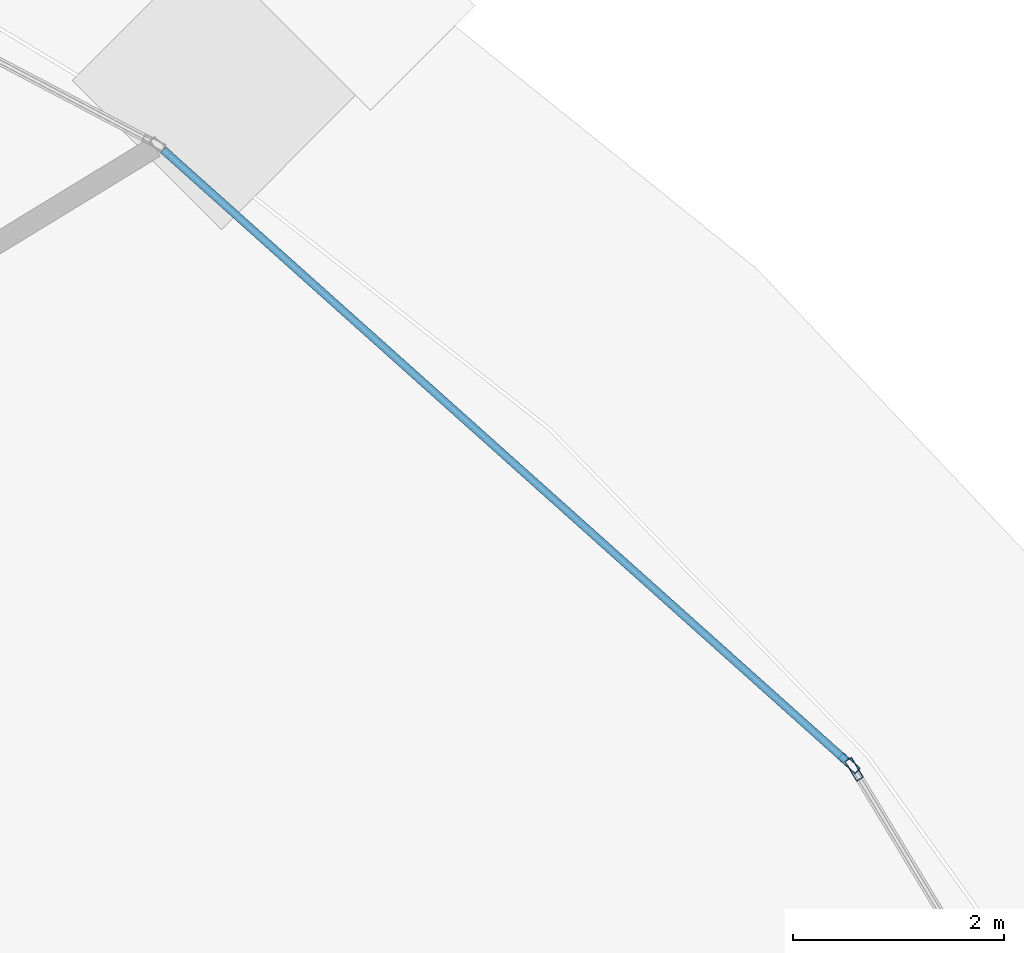
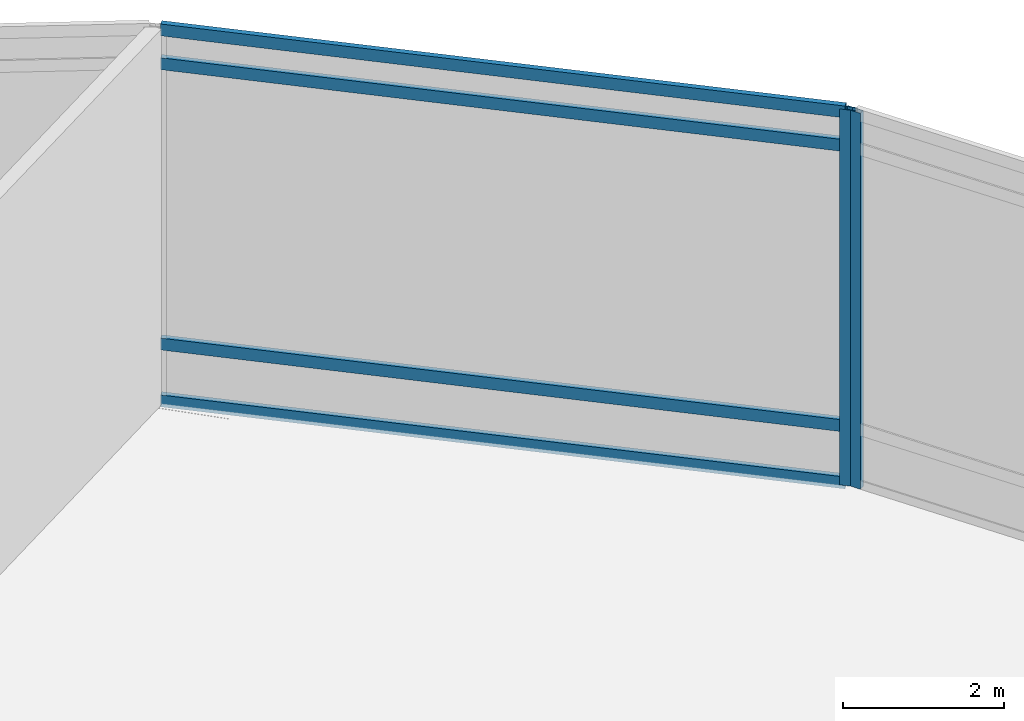
# One storey, part 26 of 40: 6 members, 2 elements without a shape of their own.
"""IFC4 building model written with IfcOpenShell, lengths in metres."""

from ifc_helpers import new_model, si_unit, direction, frame, origin, origin_2d, place, context, subcontext, project, spatial, hollow_rectangle, extrude, material, layer, layer_set, material_profile, profile_set, type_object, element, aggregate, save


model = new_model("IFC4")

# Units and contexts
model_context = context("Model", 3, precision=1e-05, world=origin(), true_north=direction((0.0, 1.0)))
body_context = subcontext(model_context, "Body", "Model", "MODEL_VIEW")
ifc_project = project(units=[si_unit("LENGTHUNIT", "METRE"), si_unit("AREAUNIT", "SQUARE_METRE"), si_unit("VOLUMEUNIT", "CUBIC_METRE"), si_unit("PLANEANGLEUNIT", "RADIAN"), si_unit("MASSUNIT", "GRAM", prefix="KILO")], contexts=[model_context])

# Site, building, storey
site_placement = place(None, origin())
site = spatial("IfcSite", under=ifc_project, at=site_placement, CompositionType="ELEMENT")
building_placement = place(site_placement, origin())
building = spatial("IfcBuilding", under=site, at=building_placement, Name="Nuhasar Tower", CompositionType="ELEMENT")
storey_placement = place(building_placement, origin())
storey = spatial("IfcBuildingStorey", under=building, at=storey_placement, Name="L00", CompositionType="ELEMENT", Elevation=0.0)

# Curtain wall, member
ifc_material = material(Name="Aluminium 6063-T6", Category="aluminium")
ifc_layer = layer(ifc_material, 0.219970703125)
ifc_layer_set = layer_set([ifc_layer], Name="Aluminium 6063-T6")
curtain_wall_type = type_object("IfcCurtainWallType", Name="CW-PODIUM", PredefinedType="NOTDEFINED", material=ifc_layer_set)
curtain_wall_1_placement = place(storey_placement, origin())
curtain_wall_1 = element("IfcCurtainWall", 1, at=curtain_wall_1_placement, inside=storey, type_object=curtain_wall_type, Name="L00 Podium Curtain Wall Bay 02", PredefinedType="NOTDEFINED")
ifc_material_profile_1 = material_profile(ifc_material, hollow_rectangle(XDim=0.074951171875, YDim=0.219970703125, WallThickness=0.0048828125, at=origin_2d()), Name="CWM-1")
ifc_profile_set_1 = profile_set([ifc_material_profile_1], Name="Aluminium 6063-T6")
member_type_1 = type_object("IfcMemberType", Name="CW-MUL-S1", PredefinedType="MULLION", material=ifc_profile_set_1)
member_1_placement = place(storey_placement, frame((74.907470703125, 40.98779296875, 0.0), z_axis=(0.0, 0.0, 1.0), x_axis=(-0.856135297317, -0.516751732158, 0.0)))
member_1 = element("IfcMember", 2, at=member_1_placement, type_object=member_type_1, Name="CW-P1 mullion 2", PredefinedType="MULLION", context=body_context, shape_type="SweptSolid", body=[
    extrude(hollow_rectangle(XDim=0.074951171875, YDim=0.219970703125, WallThickness=0.0048828125, at=origin_2d()), origin(), (0.0, 0.0, 1.0), 5.699951171875),
])
aggregate(curtain_wall_1, [member_1])

# Curtain wall, members
curtain_wall_2_placement = place(storey_placement, origin())
curtain_wall_2 = element("IfcCurtainWall", 3, at=curtain_wall_2_placement, inside=storey, type_object=curtain_wall_type, Name="L00 Podium Curtain Wall Bay 03", PredefinedType="NOTDEFINED")
member_2_placement = place(storey_placement, frame((74.860107421875, 41.044921875, 0.0), z_axis=(0.0, 0.0, 1.0), x_axis=(-0.666679051092, -0.745344915348, 0.0)))
member_2 = element("IfcMember", 4, at=member_2_placement, type_object=member_type_1, Name="CW-P1 mullion 1", PredefinedType="MULLION", context=body_context, shape_type="SweptSolid", body=[
    extrude(hollow_rectangle(XDim=0.074951171875, YDim=0.219970703125, WallThickness=0.0048828125, at=origin_2d()), origin(), (0.0, 0.0, 1.0), 5.699951171875),
])
ifc_material_profile_2 = material_profile(ifc_material, hollow_rectangle(XDim=0.074951171875, YDim=0.179931640625, WallThickness=0.00439453125, at=origin_2d()), Name="CWT-1")
ifc_profile_set_2 = profile_set([ifc_material_profile_2], Name="Aluminium 6063-T6")
member_type_2 = type_object("IfcMemberType", Name="CW-TRN-S1", PredefinedType="USERDEFINED", material=ifc_profile_set_2)
member_3_placement = place(storey_placement, frame((74.83203125, 41.070068359375, 0.03759765625), z_axis=(-0.745339824264, 0.666684742862, 0.0), x_axis=(-0.666684742862, -0.745339824264, 0.0)))
member_3 = element("IfcMember", 5, at=member_3_placement, type_object=member_type_2, Name="CW-P1 transom 1.1", ObjectType="TRANSOM", PredefinedType="USERDEFINED", context=body_context, shape_type="SweptSolid", body=[
    extrude(hollow_rectangle(XDim=0.074951171875, YDim=0.179931640625, WallThickness=0.00439453125, at=origin_2d()), origin(), (0.0, 0.0, 1.0), 8.684814453125),
])
member_4_placement = place(storey_placement, frame((74.83203125, 41.070068359375, 0.89990234375), z_axis=(-0.745339824264, 0.666684742862, 0.0), x_axis=(-0.666684742862, -0.745339824264, 0.0)))
member_4 = element("IfcMember", 6, at=member_4_placement, type_object=member_type_2, Name="CW-P1 transom 1.2", ObjectType="TRANSOM", PredefinedType="USERDEFINED", context=body_context, shape_type="SweptSolid", body=[
    extrude(hollow_rectangle(XDim=0.074951171875, YDim=0.179931640625, WallThickness=0.00439453125, at=origin_2d()), origin(), (0.0, 0.0, 1.0), 8.684814453125),
])
member_5_placement = place(storey_placement, frame((74.83203125, 41.070068359375, 5.14990234375), z_axis=(-0.745339824264, 0.666684742862, 0.0), x_axis=(-0.666684742862, -0.745339824264, 0.0)))
member_5 = element("IfcMember", 7, at=member_5_placement, type_object=member_type_2, Name="CW-P1 transom 1.3", ObjectType="TRANSOM", PredefinedType="USERDEFINED", context=body_context, shape_type="SweptSolid", body=[
    extrude(hollow_rectangle(XDim=0.074951171875, YDim=0.179931640625, WallThickness=0.00439453125, at=origin_2d()), origin(), (0.0, 0.0, 1.0), 8.684814453125),
])
member_6_placement = place(storey_placement, frame((74.83203125, 41.070068359375, 5.66259765625), z_axis=(-0.745339824264, 0.666684742862, 0.0), x_axis=(-0.666684742862, -0.745339824264, 0.0)))
member_6 = element("IfcMember", 8, at=member_6_placement, type_object=member_type_2, Name="CW-P1 transom 1.4", ObjectType="TRANSOM", PredefinedType="USERDEFINED", context=body_context, shape_type="SweptSolid", body=[
    extrude(hollow_rectangle(XDim=0.074951171875, YDim=0.179931640625, WallThickness=0.00439453125, at=origin_2d()), origin(), (0.0, 0.0, 1.0), 8.684814453125),
])
aggregate(curtain_wall_2, [member_2, member_3, member_4, member_5, member_6])

save(model, "model.ifc")
